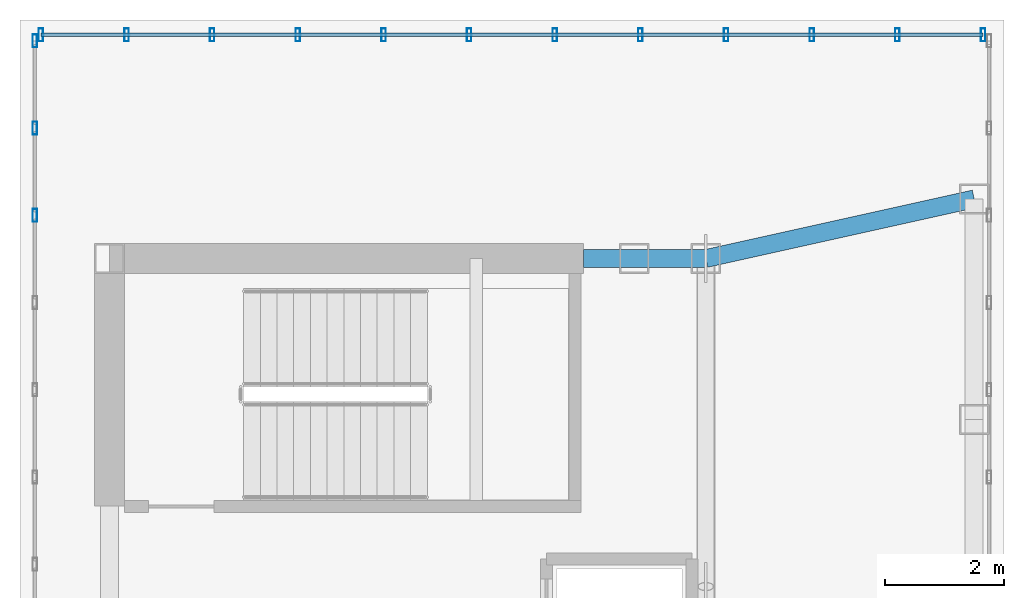
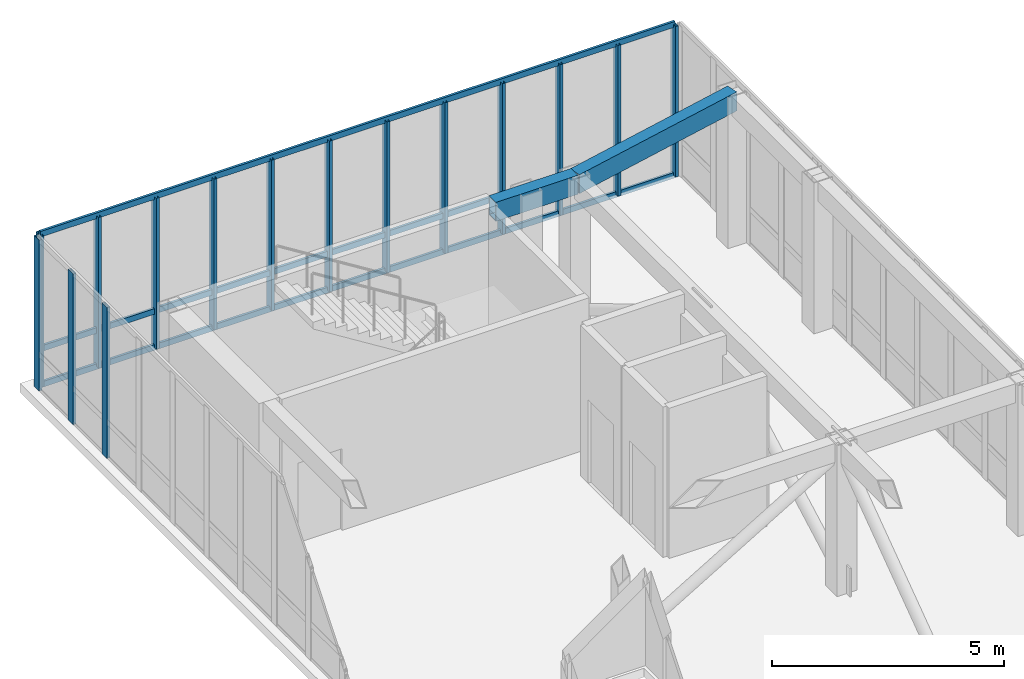
# One storey, part 9 of 13: 18 members, 2 beams, 2 elements without a shape of their own.
"""IFC4 building model written with IfcOpenShell, lengths in metres."""

from ifc_helpers import new_model, si_unit, direction, frame, origin, origin_2d, place, context, subcontext, project, spatial, hollow_rectangle, extrude, source, transform, mapped, material, layer, layer_set, material_profile, profile_set, type_object, element, aggregate, save


model = new_model("IFC4")

# Units and contexts
model_context = context("Model", 3, precision=1e-05, world=origin(), true_north=direction((0.0, 1.0)))
body_context = subcontext(model_context, "Body", "Model", "MODEL_VIEW")
ifc_project = project(units=[si_unit("LENGTHUNIT", "METRE"), si_unit("AREAUNIT", "SQUARE_METRE"), si_unit("VOLUMEUNIT", "CUBIC_METRE"), si_unit("PLANEANGLEUNIT", "RADIAN"), si_unit("MASSUNIT", "GRAM", prefix="KILO")], contexts=[model_context])

# Site, building, storey
site_placement = place(None, origin())
site = spatial("IfcSite", under=ifc_project, at=site_placement, CompositionType="ELEMENT")
building_placement = place(site_placement, origin())
building = spatial("IfcBuilding", under=site, at=building_placement, Name="Kharzan Plaza Tower", CompositionType="ELEMENT")
storey_placement = place(building_placement, frame((0.0, 0.0, 294.0)))
storey = spatial("IfcBuildingStorey", under=building, at=storey_placement, Name="L79-CROWN", CompositionType="ELEMENT", Elevation=294.0)

# Beams
ifc_material_1 = material(Name="Steel S355", Category="steel")
ifc_material_profile_1 = material_profile(ifc_material_1, hollow_rectangle(XDim=0.300048828125, YDim=0.5, WallThickness=0.02001953125, at=origin_2d()), Name="RHS500x300x20")
ifc_profile_set_1 = profile_set([ifc_material_profile_1], Name="Steel S355")
beam_type = type_object("IfcBeamType", Name="BM-CRN500", PredefinedType="BEAM", material=ifc_profile_set_1)
shared_shape_1 = source(origin(), body_context, "Body", "SweptSolid", [
    extrude(hollow_rectangle(XDim=0.300048828125, YDim=0.5, WallThickness=0.02001953125, at=origin_2d()), origin(), (0.0, 0.0, 1.0), 2.050048828125),
])
beam_1_placement = place(storey_placement, frame((12.449951171875, 29.5, 3.719970703125), z_axis=(1.0, 0.0, 0.0), x_axis=(0.0, 1.0, 0.0)))
element("IfcBeam", 1, at=beam_1_placement, inside=storey, type_object=beam_type, Name="L79-CROWN CROWN FRAME Lantern Ring Beam CRB-N2", PredefinedType="BEAM", context=body_context, shape_type="MappedRepresentation", body=[
    mapped(shared_shape_1, transform((0.0, 0.0, 0.0), x_axis=(1.0, 0.0, 0.0), y_axis=(0.0, 1.0, 0.0), z_axis=(0.0, 0.0, 1.0))),
])
shared_shape_2 = source(origin(), body_context, "Body", "SweptSolid", [
    extrude(hollow_rectangle(XDim=0.300048828125, YDim=0.5, WallThickness=0.02001953125, at=origin_2d()), origin(), (0.0, 0.0, 1.0), 4.60986328125),
])
beam_2_placement = place(storey_placement, frame((14.5, 29.5, 3.719970703125), z_axis=(0.976187060184, 0.216930457819, 0.0), x_axis=(-0.216930457819, 0.976187060184, 0.0)))
element("IfcBeam", 2, at=beam_2_placement, inside=storey, type_object=beam_type, Name="L79-CROWN CROWN FRAME Lantern Ring Beam CRB-N3", PredefinedType="BEAM", context=body_context, shape_type="MappedRepresentation", body=[
    mapped(shared_shape_2, transform((0.0, 0.0, 0.0), x_axis=(1.0, 0.0, 0.0), y_axis=(0.0, 1.0, 0.0), z_axis=(0.0, 0.0, 1.0))),
])

# Curtain wall, members
ifc_material_2 = material(Name="Unitised Bronze-Anodized Aluminium and Low-E Glass", Category="aluminium")
ifc_layer = layer(ifc_material_2, 0.199951171875)
ifc_layer_set = layer_set([ifc_layer], Name="Unitised Bronze-Anodized Aluminium and Low-E Glass")
curtain_wall_type = type_object("IfcCurtainWallType", Name="CW-LANTERN-6", PredefinedType="NOTDEFINED", material=ifc_layer_set)
curtain_wall_1_placement = place(storey_placement, origin())
curtain_wall_1 = element("IfcCurtainWall", 3, at=curtain_wall_1_placement, inside=storey, type_object=curtain_wall_type, Name="L79-CROWN Lantern Crown Illuminated Curtain Wall 3", PredefinedType="NOTDEFINED")
ifc_material_3 = material(Name="Anodized Bronze Aluminium", Category="aluminium")
ifc_material_profile_2 = material_profile(ifc_material_3, hollow_rectangle(XDim=0.074951171875, YDim=0.219970703125, WallThickness=0.00390625, at=origin_2d()), Name="ALU-M220x75x4")
ifc_profile_set_2 = profile_set([ifc_material_profile_2], Name="Anodized Bronze Aluminium")
member_type_1 = type_object("IfcMemberType", Name="MEM-CW-MUL200", PredefinedType="MULLION", material=ifc_profile_set_2)
shared_shape_3 = source(origin(), body_context, "Body", "SweptSolid", [
    extrude(hollow_rectangle(XDim=0.074951171875, YDim=0.219970703125, WallThickness=0.00390625, at=origin_2d()), origin(), (0.0, 0.0, 1.0), 3.969970703125),
])
member_1_placement = place(storey_placement, frame((19.14990234375, 33.25, 0.0), z_axis=(0.0, 0.0, 1.0), x_axis=(1.0, 0.0, 0.0)))
member_1 = element("IfcMember", 4, at=member_1_placement, type_object=member_type_1, Name="L79-CROWN Curtain-Wall Mullion 00", PredefinedType="MULLION", context=body_context, shape_type="MappedRepresentation", body=[
    mapped(shared_shape_3, transform((0.0, 0.0, 0.0), x_axis=(1.0, 0.0, 0.0), y_axis=(0.0, 1.0, 0.0), z_axis=(0.0, 0.0, 1.0))),
])
member_2_placement = place(storey_placement, frame((17.713623046875, 33.25, 0.0), z_axis=(0.0, 0.0, 1.0), x_axis=(1.0, 0.0, 0.0)))
member_2 = element("IfcMember", 5, at=member_2_placement, type_object=member_type_1, Name="L79-CROWN Curtain-Wall Mullion 01", PredefinedType="MULLION", context=body_context, shape_type="MappedRepresentation", body=[
    mapped(shared_shape_3, transform((0.0, 0.0, 0.0), x_axis=(1.0, 0.0, 0.0), y_axis=(0.0, 1.0, 0.0), z_axis=(0.0, 0.0, 1.0))),
])
member_3_placement = place(storey_placement, frame((16.27734375, 33.25, 0.0), z_axis=(0.0, 0.0, 1.0), x_axis=(1.0, 0.0, 0.0)))
member_3 = element("IfcMember", 6, at=member_3_placement, type_object=member_type_1, Name="L79-CROWN Curtain-Wall Mullion 02", PredefinedType="MULLION", context=body_context, shape_type="MappedRepresentation", body=[
    mapped(shared_shape_3, transform((0.0, 0.0, 0.0), x_axis=(1.0, 0.0, 0.0), y_axis=(0.0, 1.0, 0.0), z_axis=(0.0, 0.0, 1.0))),
])
member_4_placement = place(storey_placement, frame((14.8408203125, 33.25, 0.0), z_axis=(0.0, 0.0, 1.0), x_axis=(1.0, 0.0, 0.0)))
member_4 = element("IfcMember", 7, at=member_4_placement, type_object=member_type_1, Name="L79-CROWN Curtain-Wall Mullion 03", PredefinedType="MULLION", context=body_context, shape_type="MappedRepresentation", body=[
    mapped(shared_shape_3, transform((0.0, 0.0, 0.0), x_axis=(1.0, 0.0, 0.0), y_axis=(0.0, 1.0, 0.0), z_axis=(0.0, 0.0, 1.0))),
])
member_5_placement = place(storey_placement, frame((13.404541015625, 33.25, 0.0), z_axis=(0.0, 0.0, 1.0), x_axis=(1.0, 0.0, 0.0)))
member_5 = element("IfcMember", 8, at=member_5_placement, type_object=member_type_1, Name="L79-CROWN Curtain-Wall Mullion 04", PredefinedType="MULLION", context=body_context, shape_type="MappedRepresentation", body=[
    mapped(shared_shape_3, transform((0.0, 0.0, 0.0), x_axis=(1.0, 0.0, 0.0), y_axis=(0.0, 1.0, 0.0), z_axis=(0.0, 0.0, 1.0))),
])
member_6_placement = place(storey_placement, frame((11.96826171875, 33.25, 0.0), z_axis=(0.0, 0.0, 1.0), x_axis=(1.0, 0.0, 0.0)))
member_6 = element("IfcMember", 9, at=member_6_placement, type_object=member_type_1, Name="L79-CROWN Curtain-Wall Mullion 05", PredefinedType="MULLION", context=body_context, shape_type="MappedRepresentation", body=[
    mapped(shared_shape_3, transform((0.0, 0.0, 0.0), x_axis=(1.0, 0.0, 0.0), y_axis=(0.0, 1.0, 0.0), z_axis=(0.0, 0.0, 1.0))),
])
member_7_placement = place(storey_placement, frame((10.53173828125, 33.25, 0.0), z_axis=(0.0, 0.0, 1.0), x_axis=(1.0, 0.0, 0.0)))
member_7 = element("IfcMember", 10, at=member_7_placement, type_object=member_type_1, Name="L79-CROWN Curtain-Wall Mullion 06", PredefinedType="MULLION", context=body_context, shape_type="MappedRepresentation", body=[
    mapped(shared_shape_3, transform((0.0, 0.0, 0.0), x_axis=(1.0, 0.0, 0.0), y_axis=(0.0, 1.0, 0.0), z_axis=(0.0, 0.0, 1.0))),
])
member_8_placement = place(storey_placement, frame((9.095458984375, 33.25, 0.0), z_axis=(0.0, 0.0, 1.0), x_axis=(1.0, 0.0, 0.0)))
member_8 = element("IfcMember", 11, at=member_8_placement, type_object=member_type_1, Name="L79-CROWN Curtain-Wall Mullion 07", PredefinedType="MULLION", context=body_context, shape_type="MappedRepresentation", body=[
    mapped(shared_shape_3, transform((0.0, 0.0, 0.0), x_axis=(1.0, 0.0, 0.0), y_axis=(0.0, 1.0, 0.0), z_axis=(0.0, 0.0, 1.0))),
])
member_9_placement = place(storey_placement, frame((7.6591796875, 33.25, 0.0), z_axis=(0.0, 0.0, 1.0), x_axis=(1.0, 0.0, 0.0)))
member_9 = element("IfcMember", 12, at=member_9_placement, type_object=member_type_1, Name="L79-CROWN Curtain-Wall Mullion 08", PredefinedType="MULLION", context=body_context, shape_type="MappedRepresentation", body=[
    mapped(shared_shape_3, transform((0.0, 0.0, 0.0), x_axis=(1.0, 0.0, 0.0), y_axis=(0.0, 1.0, 0.0), z_axis=(0.0, 0.0, 1.0))),
])
member_10_placement = place(storey_placement, frame((6.22265625, 33.25, 0.0), z_axis=(0.0, 0.0, 1.0), x_axis=(1.0, 0.0, 0.0)))
member_10 = element("IfcMember", 13, at=member_10_placement, type_object=member_type_1, Name="L79-CROWN Curtain-Wall Mullion 09", PredefinedType="MULLION", context=body_context, shape_type="MappedRepresentation", body=[
    mapped(shared_shape_3, transform((0.0, 0.0, 0.0), x_axis=(1.0, 0.0, 0.0), y_axis=(0.0, 1.0, 0.0), z_axis=(0.0, 0.0, 1.0))),
])
member_11_placement = place(storey_placement, frame((4.786376953125, 33.25, 0.0), z_axis=(0.0, 0.0, 1.0), x_axis=(1.0, 0.0, 0.0)))
member_11 = element("IfcMember", 14, at=member_11_placement, type_object=member_type_1, Name="L79-CROWN Curtain-Wall Mullion 10", PredefinedType="MULLION", context=body_context, shape_type="MappedRepresentation", body=[
    mapped(shared_shape_3, transform((0.0, 0.0, 0.0), x_axis=(1.0, 0.0, 0.0), y_axis=(0.0, 1.0, 0.0), z_axis=(0.0, 0.0, 1.0))),
])
member_12_placement = place(storey_placement, frame((3.35009765625, 33.25, 0.0), z_axis=(0.0, 0.0, 1.0), x_axis=(1.0, 0.0, 0.0)))
member_12 = element("IfcMember", 15, at=member_12_placement, type_object=member_type_1, Name="L79-CROWN Curtain-Wall Mullion 11", PredefinedType="MULLION", context=body_context, shape_type="MappedRepresentation", body=[
    mapped(shared_shape_3, transform((0.0, 0.0, 0.0), x_axis=(1.0, 0.0, 0.0), y_axis=(0.0, 1.0, 0.0), z_axis=(0.0, 0.0, 1.0))),
])

curtain_wall_2_placement = place(storey_placement, origin())
curtain_wall_2 = element("IfcCurtainWall", 16, at=curtain_wall_2_placement, inside=storey, type_object=curtain_wall_type, Name="L79-CROWN Lantern Crown Illuminated Curtain Wall 4", PredefinedType="NOTDEFINED")
member_13_placement = place(storey_placement, frame((3.25, 33.14990234375, 0.0), z_axis=(0.0, 0.0, 1.0), x_axis=(1.0, 0.0, 0.0)))
member_13 = element("IfcMember", 17, at=member_13_placement, type_object=member_type_1, Name="L79-CROWN Curtain-Wall Mullion 00", PredefinedType="MULLION", context=body_context, shape_type="MappedRepresentation", body=[
    mapped(shared_shape_3, transform((0.0, 0.0, 0.0), x_axis=(1.0, 0.0, 0.0), y_axis=(0.0, 1.0, 0.0), z_axis=(0.0, 0.0, 1.0))),
])
member_14_placement = place(storey_placement, frame((3.25, 31.686767578125, 0.0), z_axis=(0.0, 0.0, 1.0), x_axis=(1.0, 0.0, 0.0)))
member_14 = element("IfcMember", 18, at=member_14_placement, type_object=member_type_1, Name="L79-CROWN Curtain-Wall Mullion 01", PredefinedType="MULLION", context=body_context, shape_type="MappedRepresentation", body=[
    mapped(shared_shape_3, transform((0.0, 0.0, 0.0), x_axis=(1.0, 0.0, 0.0), y_axis=(0.0, 1.0, 0.0), z_axis=(0.0, 0.0, 1.0))),
])
member_15_placement = place(storey_placement, frame((3.25, 30.2236328125, 0.0), z_axis=(0.0, 0.0, 1.0), x_axis=(1.0, 0.0, 0.0)))
member_15 = element("IfcMember", 19, at=member_15_placement, type_object=member_type_1, Name="L79-CROWN Curtain-Wall Mullion 02", PredefinedType="MULLION", context=body_context, shape_type="MappedRepresentation", body=[
    mapped(shared_shape_3, transform((0.0, 0.0, 0.0), x_axis=(1.0, 0.0, 0.0), y_axis=(0.0, 1.0, 0.0), z_axis=(0.0, 0.0, 1.0))),
])
aggregate(curtain_wall_2, [member_13, member_14, member_15])

# Member
ifc_material_profile_3 = material_profile(ifc_material_3, hollow_rectangle(XDim=0.06005859375, YDim=0.14990234375, WallThickness=0.00341796875, at=origin_2d()), Name="ALU-T150x60x3.5")
ifc_profile_set_3 = profile_set([ifc_material_profile_3], Name="Anodized Bronze Aluminium")
member_type_2 = type_object("IfcMemberType", Name="MEM-CW-TRN150", PredefinedType="USERDEFINED", material=ifc_profile_set_3)
shared_shape_4 = source(origin(), body_context, "Body", "SweptSolid", [
    extrude(hollow_rectangle(XDim=0.06005859375, YDim=0.14990234375, WallThickness=0.00341796875, at=origin_2d()), origin(), (0.0, 0.0, 1.0), 15.7998046875),
])
member_16_placement = place(storey_placement, frame((19.14990234375, 33.25, 0.0), z_axis=(-1.0, 0.0, 0.0), x_axis=(0.0, -1.0, 0.0)))
member_16 = element("IfcMember", 20, at=member_16_placement, type_object=member_type_2, Name="L79-CROWN Curtain-Wall Transom 1", ObjectType="TRANSOM", PredefinedType="USERDEFINED", context=body_context, shape_type="MappedRepresentation", body=[
    mapped(shared_shape_4, transform((0.0, 0.0, 0.0), x_axis=(1.0, 0.0, 0.0), y_axis=(0.0, 1.0, 0.0), z_axis=(0.0, 0.0, 1.0))),
])

member_17_placement = place(storey_placement, frame((19.14990234375, 33.25, 0.949951171875), z_axis=(-1.0, 0.0, 0.0), x_axis=(0.0, -1.0, 0.0)))
member_17 = element("IfcMember", 21, at=member_17_placement, type_object=member_type_2, Name="L79-CROWN Curtain-Wall Transom 2", ObjectType="TRANSOM", PredefinedType="USERDEFINED", context=body_context, shape_type="MappedRepresentation", body=[
    mapped(shared_shape_4, transform((0.0, 0.0, 0.0), x_axis=(1.0, 0.0, 0.0), y_axis=(0.0, 1.0, 0.0), z_axis=(0.0, 0.0, 1.0))),
])

member_18_placement = place(storey_placement, frame((19.14990234375, 33.25, 3.969970703125), z_axis=(-1.0, 0.0, 0.0), x_axis=(0.0, -1.0, 0.0)))
member_18 = element("IfcMember", 22, at=member_18_placement, type_object=member_type_2, Name="L79-CROWN Curtain-Wall Transom 3", ObjectType="TRANSOM", PredefinedType="USERDEFINED", context=body_context, shape_type="MappedRepresentation", body=[
    mapped(shared_shape_4, transform((0.0, 0.0, 0.0), x_axis=(1.0, 0.0, 0.0), y_axis=(0.0, 1.0, 0.0), z_axis=(0.0, 0.0, 1.0))),
])

aggregate(curtain_wall_1, [member_1, member_2, member_3, member_4, member_5, member_6, member_7, member_8, member_9, member_10, member_11, member_12, member_16, member_17, member_18])

save(model, "model.ifc")
